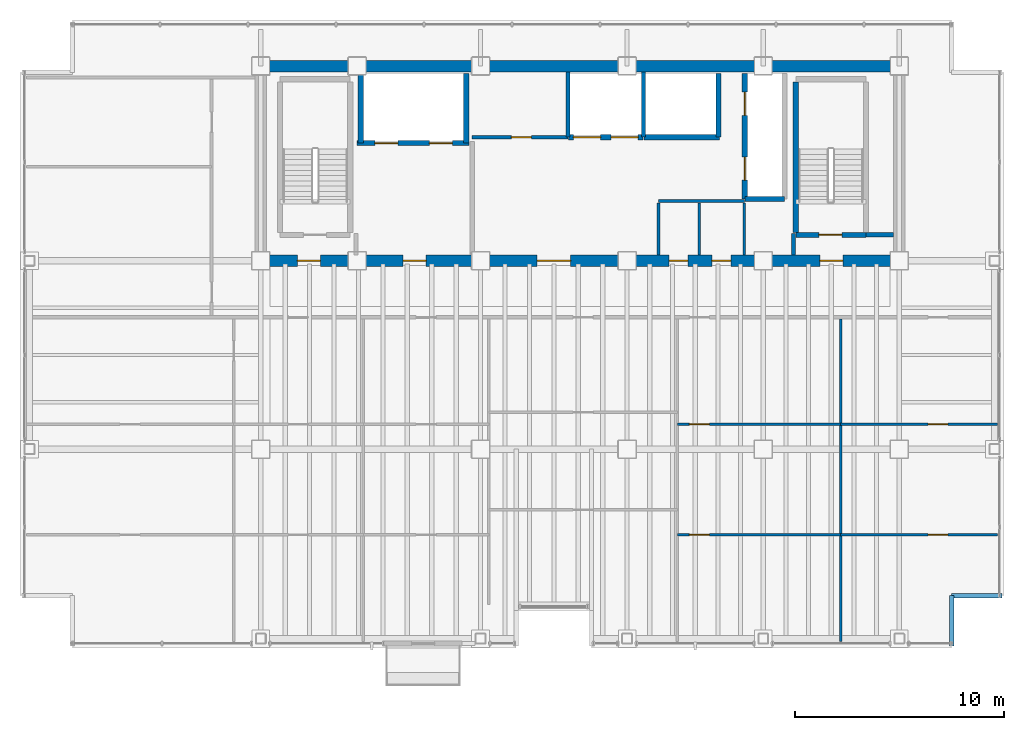
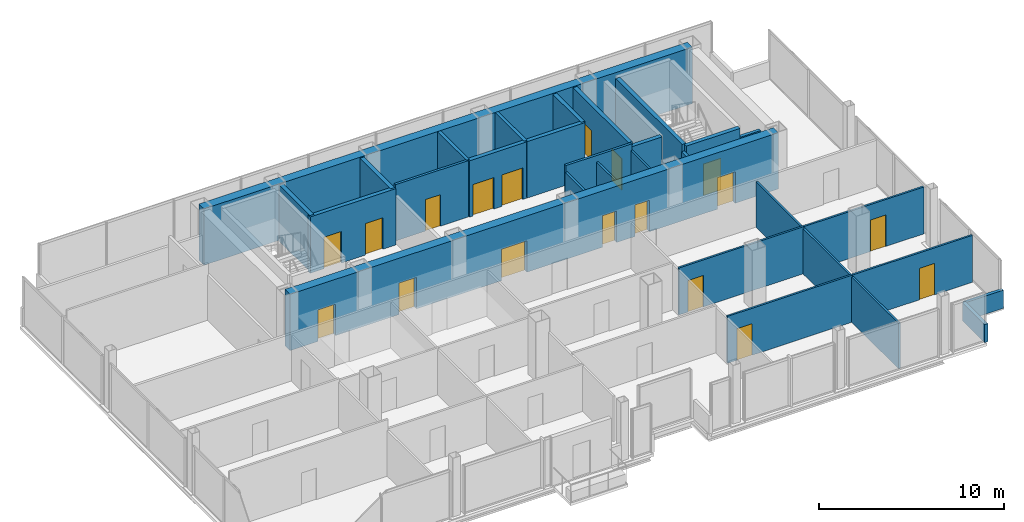
# One storey, part 20 of 22: 28 walls, 18 doors, 18 openings.
"""IFC4 building model written with IfcOpenShell, lengths in metres."""

import ifcopenshell
import ifcopenshell.guid

model = None  # the IFC model being written
_history = None  # IfcOwnerHistory: only IFC2X3 demands one
_inside = {}  # id of a spatial element -> (the spatial element, [elements in it])
_under = {}  # id of a project, library or spatial element -> (it, [spatial elements below it])
_declared = {}  # id of a project -> (the project, [libraries it declares])
_typed = {}  # id of a type object -> (the type object, [elements of that type])
_made_of = {}  # id of a material, layer set ... -> (it, [elements and type objects made of it])


def new_model(schema):
    """Start an empty IFC model of exactly this schema.

    Asked for "IFC4X3", IfcOpenShell would pick the latest addendum, in which some entities
    have other attributes; the version numbers below select the first issue.
    IFC2X3 requires an IfcOwnerHistory on every rooted entity: one is made here for all.
    """
    global model, _history
    if schema == "IFC4X3":
        model = ifcopenshell.file(schema_version=(4, 3, 0, 0))
    else:
        model = ifcopenshell.file(schema=schema)
    _inside.clear()
    _under.clear()
    _declared.clear()
    _typed.clear()
    _made_of.clear()
    _history = None
    if model.schema == "IFC2X3":
        org = make("IfcOrganization", Name="unknown")
        user = make(
            "IfcPersonAndOrganization",
            ThePerson=make("IfcPerson", FamilyName="unknown"),
            TheOrganization=org,
        )
        app = make(
            "IfcApplication",
            ApplicationDeveloper=org,
            Version="unknown",
            ApplicationFullName="unknown",
            ApplicationIdentifier="unknown",
        )
        _history = make(
            "IfcOwnerHistory",
            OwningUser=user,
            OwningApplication=app,
            ChangeAction="ADDED",
            CreationDate=0,
        )
    return model


def make(cls, **values):
    """One entity of the class cls with the attributes given. An attribute that is None is left unset."""
    return model.create_entity(
        cls, **{name: value for name, value in values.items() if value is not None}
    )


def rooted(cls, **values):
    """An entity with a GlobalId (a new one), such as an element, a storey or a relation."""
    return make(cls, GlobalId=ifcopenshell.guid.new(), OwnerHistory=_history, **values)


def si_unit(unit_type, name, prefix=None):
    """IfcSIUnit, for example si_unit("LENGTHUNIT", "METRE", prefix="MILLI")."""
    return make("IfcSIUnit", UnitType=unit_type, Prefix=prefix, Name=name)


def assignment(units):
    """IfcUnitAssignment: the units of a project."""
    return None if units is None else make("IfcUnitAssignment", Units=units)


def point(xyz):
    """IfcCartesianPoint."""
    return None if xyz is None else make("IfcCartesianPoint", Coordinates=xyz)


def direction(xyz):
    """IfcDirection."""
    return None if xyz is None else make("IfcDirection", DirectionRatios=xyz)


def frame(location, z_axis=None, x_axis=None):
    """IfcAxis2Placement3D, a coordinate frame: its origin and axes. An axis left out is left unset."""
    return make(
        "IfcAxis2Placement3D",
        Location=point(location),
        Axis=direction(z_axis),
        RefDirection=direction(x_axis),
    )


def frame_2d(location, x_axis=None):
    """IfcAxis2Placement2D, a coordinate frame in the plane: its origin and x axis."""
    return make(
        "IfcAxis2Placement2D", Location=point(location), RefDirection=direction(x_axis)
    )


def origin():
    """The frame at (0, 0, 0) with its axes left unset."""
    return frame((0.0, 0.0, 0.0))


def place(relative_to, where):
    """IfcLocalPlacement: puts the frame where relative to a parent placement (None: the world)."""
    return make(
        "IfcLocalPlacement", PlacementRelTo=relative_to, RelativePlacement=where
    )


def context(
    kind, dimensions, precision=None, world=None, true_north=None, identifier=None
):
    """IfcGeometricRepresentationContext, for example the 3D "Model" context."""
    return make(
        "IfcGeometricRepresentationContext",
        ContextIdentifier=identifier,
        ContextType=kind,
        CoordinateSpaceDimension=dimensions,
        Precision=precision,
        WorldCoordinateSystem=world,
        TrueNorth=true_north,
    )


def subcontext(parent, identifier, kind, view, scale=None):
    """IfcGeometricRepresentationSubContext, for example "Body" below "Model"."""
    return make(
        "IfcGeometricRepresentationSubContext",
        ContextIdentifier=identifier,
        ContextType=kind,
        ParentContext=parent,
        TargetScale=scale,
        TargetView=view,
    )


def project(units=None, contexts=None):
    """IfcProject with its units and contexts."""
    return rooted(
        "IfcProject",
        Name="project",
        RepresentationContexts=contexts,
        UnitsInContext=assignment(units),
    )


def spatial(cls, under=None, at=None, **own):
    """A site, building, storey or space (cls), placed at a placement, below another one or the project."""
    s = rooted(cls, ObjectPlacement=at, **own)
    if under is not None:
        _under.setdefault(under.id(), (under, []))[1].append(s)
    return s


def profile(cls, at=None, kind="AREA", **sizes):
    """A parametric profile (cls). Its sizes go by their IFC names, for example OverallWidth=200.0."""
    return make(cls, ProfileType=kind, Position=at, **sizes)


def rectangle(**sizes):
    """IfcRectangleProfileDef."""
    return profile("IfcRectangleProfileDef", **sizes)


def extrude(swept, where, along, depth):
    """IfcExtrudedAreaSolid: the profile swept, set in the frame where, extruded along a direction by depth."""
    return make(
        "IfcExtrudedAreaSolid",
        SweptArea=swept,
        Position=where,
        ExtrudedDirection=direction(along),
        Depth=depth,
    )


def shape(context_of_items, identifier, shape_type, items):
    """IfcShapeRepresentation: the items that make up one representation, for example the "Body"."""
    return make(
        "IfcShapeRepresentation",
        ContextOfItems=context_of_items,
        RepresentationIdentifier=identifier,
        RepresentationType=shape_type,
        Items=items,
    )


def material(Name=None, Category=None):
    """IfcMaterial."""
    return make("IfcMaterial", Name=Name, Category=Category)


def layer(
    of_material, thickness, ventilated=None, Name=None, Category=None, Priority=None
):
    """IfcMaterialLayer: one layer of a wall or slab, of a material (None: an air gap)."""
    return make(
        "IfcMaterialLayer",
        Material=of_material,
        LayerThickness=thickness,
        IsVentilated=ventilated,
        Name=Name,
        Category=Category,
        Priority=Priority,
    )


def layer_set(layers, Name=None):
    """IfcMaterialLayerSet."""
    return make("IfcMaterialLayerSet", MaterialLayers=layers, LayerSetName=Name)


def made_of(thing, what):
    """Note that an element or type object is made of a material, layer set ...; save() writes the relation."""
    if what is not None:
        _made_of.setdefault(what.id(), (what, []))[1].append(thing)
    return thing


def type_object(cls, material=None, **own):
    """A type object (cls), such as IfcWallType, which elements share."""
    return made_of(rooted(cls, **own), material)


def element(
    cls,
    number,
    at=None,
    inside=None,
    cuts=None,
    type_object=None,
    material=None,
    context=None,
    identifier="Body",
    shape_type=None,
    held_by="IfcProductDefinitionShape",
    body=None,
    shapes=None,
    **own,
):
    """One element of the class cls, such as IfcWall. Its Tag is "e" and its number.

    at: its placement. inside: the storey or other place that contains it. cuts: it is an
    opening in that element (IfcRelVoidsElement). A single representation is given by context,
    identifier, shape_type and body (its items); several are given by shapes. held_by: the class
    of the entity that holds the representations. save() writes the other relations.
    """
    e = rooted(cls, Tag="e%d" % number, ObjectPlacement=at, **own)
    if body is not None:
        shapes = [shape(context, identifier, shape_type, body)]
    if shapes is not None:
        e.Representation = make(held_by, Representations=shapes)
    if inside is not None:
        _inside.setdefault(inside.id(), (inside, []))[1].append(e)
    if cuts is not None:
        rooted(
            "IfcRelVoidsElement", RelatingBuildingElement=cuts, RelatedOpeningElement=e
        )
    if type_object is not None:
        _typed.setdefault(type_object.id(), (type_object, []))[1].append(e)
    return made_of(e, material)


def fill(opening, filler):
    """IfcRelFillsElement: the door or window that sits in an opening."""
    return rooted(
        "IfcRelFillsElement",
        RelatingOpeningElement=opening,
        RelatedBuildingElement=filler,
    )


def aggregate(whole, parts):
    """IfcRelAggregates: a whole, such as a stair, and the parts it consists of."""
    return rooted("IfcRelAggregates", RelatingObject=whole, RelatedObjects=parts)


def save(model, path):
    """Write the relations noted so far, then the file.

    IfcRelAggregates (storeys below a building ...), IfcRelContainedInSpatialStructure (elements
    in a storey), IfcRelDefinesByType, IfcRelAssociatesMaterial and IfcRelDeclares: one each for
    every whole, place, type object, material and project.
    """
    for whole, parts in _under.values():
        aggregate(whole, parts)
    for where, things in _inside.values():
        rooted(
            "IfcRelContainedInSpatialStructure",
            RelatedElements=things,
            RelatingStructure=where,
        )
    for kind, things in _typed.values():
        rooted("IfcRelDefinesByType", RelatedObjects=things, RelatingType=kind)
    for what, things in _made_of.values():
        rooted("IfcRelAssociatesMaterial", RelatedObjects=things, RelatingMaterial=what)
    for by, libraries in _declared.values():
        rooted("IfcRelDeclares", RelatingContext=by, RelatedDefinitions=libraries)
    model.write(path)


model = new_model("IFC4")

# Units and contexts
model_context = context("Model", 3, precision=1e-05, world=origin(), true_north=direction((0.0, 1.0)))
body_context = subcontext(model_context, "Body", "Model", "MODEL_VIEW")
ifc_project = project(units=[si_unit("LENGTHUNIT", "METRE"), si_unit("AREAUNIT", "SQUARE_METRE"), si_unit("VOLUMEUNIT", "CUBIC_METRE"), si_unit("PLANEANGLEUNIT", "RADIAN"), si_unit("MASSUNIT", "GRAM", prefix="KILO")], contexts=[model_context])

# Site, building, storey
site_placement = place(None, origin())
site = spatial("IfcSite", under=ifc_project, at=site_placement, CompositionType="ELEMENT")
building_placement = place(site_placement, origin())
building = spatial("IfcBuilding", under=site, at=building_placement, Name="Noeulbin Bourse Tower", CompositionType="ELEMENT")
storey_placement = place(building_placement, frame((0.0, 0.0, 134.39990234375)))
storey = spatial("IfcBuildingStorey", under=building, at=storey_placement, Name="L33", CompositionType="ELEMENT", Elevation=134.39990234375)

# Wall, openings, doors
ifc_material_1 = material(Name="Concrete C60/75", Category="concrete")
ifc_layer_1 = layer(ifc_material_1, 0.550048828125)
ifc_layer_set_1 = layer_set([ifc_layer_1], Name="Concrete C60/75")
wall_type_1 = type_object("IfcWallType", Name="WAL-CORE-550", PredefinedType="SHEAR", material=ifc_layer_set_1)
wall_1_placement = place(storey_placement, frame((13.5, 29.0, 0.0), z_axis=(0.0, 0.0, 1.0), x_axis=(1.0, 0.0, 0.0)))
wall_1 = element("IfcWall", 1, at=wall_1_placement, inside=storey, type_object=wall_type_1, Name="Rear Core South Shear Wall L33", PredefinedType="SHEAR", context=body_context, shape_type="SweptSolid", body=[
    extrude(rectangle(XDim=30.5, YDim=0.550048828125, at=frame_2d((15.25, 0.0))), origin(), (0.0, 0.0, 1.0), 3.72021484375),
])
opening_1_placement = place(wall_1_placement, frame((1.75, 0.0, 0.0)))
opening_1 = element("IfcOpeningElement", 2, at=opening_1_placement, cuts=wall_1, Name="Opening FD-11", PredefinedType="OPENING", context=body_context, shape_type="SweptSolid", body=[
    extrude(rectangle(XDim=1.10009765625, YDim=2.080078125, at=frame_2d((0.550048828125, 1.0400390625))), frame((0.0, 0.284912109375, 0.0), z_axis=(0.0, -1.0, 0.0), x_axis=(1.0, 0.0, 0.0)), (0.0, 0.0, 1.0), 0.570068359375),
])
opening_2_placement = place(wall_1_placement, frame((26.699951171875, 0.0, 0.0)))
opening_2 = element("IfcOpeningElement", 3, at=opening_2_placement, cuts=wall_1, Name="Opening FD-11", PredefinedType="OPENING", context=body_context, shape_type="SweptSolid", body=[
    extrude(rectangle(XDim=1.10009765625, YDim=2.080078125, at=frame_2d((0.550048828125, 1.0400390625))), frame((0.0, 0.284912109375, 0.0), z_axis=(0.0, -1.0, 0.0), x_axis=(1.0, 0.0, 0.0)), (0.0, 0.0, 1.0), 0.570068359375),
])
opening_3_placement = place(wall_1_placement, frame((6.800048828125, 0.0, 0.0)))
opening_3 = element("IfcOpeningElement", 4, at=opening_3_placement, cuts=wall_1, Name="Opening FD-11", PredefinedType="OPENING", context=body_context, shape_type="SweptSolid", body=[
    extrude(rectangle(XDim=1.10009765625, YDim=2.080078125, at=frame_2d((0.550048828125, 1.0400390625))), frame((0.0, 0.284912109375, 0.0), z_axis=(0.0, -1.0, 0.0), x_axis=(1.0, 0.0, 0.0)), (0.0, 0.0, 1.0), 0.570068359375),
])
opening_4_placement = place(wall_1_placement, frame((13.199951171875, 0.0, 0.0)))
opening_4 = element("IfcOpeningElement", 5, at=opening_4_placement, cuts=wall_1, Name="Opening ID-16", PredefinedType="OPENING", context=body_context, shape_type="SweptSolid", body=[
    extrude(rectangle(XDim=1.60009765625, YDim=2.080078125, at=frame_2d((0.800048828125, 1.0400390625))), frame((0.0, 0.284912109375, 0.0), z_axis=(0.0, -1.0, 0.0), x_axis=(1.0, 0.0, 0.0)), (0.0, 0.0, 1.0), 0.570068359375),
])
opening_5_placement = place(wall_1_placement, frame((19.5, 0.0, 0.0)))
opening_5 = element("IfcOpeningElement", 6, at=opening_5_placement, cuts=wall_1, Name="Opening FD-09", PredefinedType="OPENING", context=body_context, shape_type="SweptSolid", body=[
    extrude(rectangle(XDim=0.89990234375, YDim=2.080078125, at=frame_2d((0.449951171875, 1.0400390625))), frame((0.0, 0.284912109375, 0.0), z_axis=(0.0, -1.0, 0.0), x_axis=(1.0, 0.0, 0.0)), (0.0, 0.0, 1.0), 0.570068359375),
])
opening_6_placement = place(wall_1_placement, frame((21.550048828125, 0.0, 0.0)))
opening_6 = element("IfcOpeningElement", 7, at=opening_6_placement, cuts=wall_1, Name="Opening FD-09", PredefinedType="OPENING", context=body_context, shape_type="SweptSolid", body=[
    extrude(rectangle(XDim=0.89990234375, YDim=2.080078125, at=frame_2d((0.449951171875, 1.0400390625))), frame((0.0, 0.284912109375, 0.0), z_axis=(0.0, -1.0, 0.0), x_axis=(1.0, 0.0, 0.0)), (0.0, 0.0, 1.0), 0.570068359375),
])
ifc_material_2 = material(Name="Acoustic Glazed Aluminium", Category="aluminium")
door_type_1 = type_object("IfcDoorType", Name="DR-DBL-1600", OperationType="DOUBLE_DOOR_SINGLE_SWING", PredefinedType="DOOR", material=ifc_material_2)
door_1_placement = place(opening_4_placement, origin())
door_1 = element("IfcDoor", 8, at=door_1_placement, inside=storey, type_object=door_type_1, Name="Passenger Lift Lobby Portal L33", OperationType="DOUBLE_DOOR_SINGLE_SWING", OverallHeight=2.080078125, OverallWidth=1.60009765625, PredefinedType="DOOR", context=body_context, shape_type="SweptSolid", body=[
    extrude(rectangle(XDim=1.60009765625, YDim=2.080078125, at=frame_2d((0.800048828125, 1.0400390625))), frame((0.0, 0.02490234375, 0.0), z_axis=(0.0, -1.0, 0.0), x_axis=(1.0, 0.0, 0.0)), (0.0, 0.0, 1.0), 0.050048828125),
])
fill(opening_4, door_1)
ifc_material_3 = material(Name="Fire-Rated Timber Core", Category="wood")
door_type_2 = type_object("IfcDoorType", Name="DR-FD30-900", OperationType="SINGLE_SWING_RIGHT", PredefinedType="DOOR", material=ifc_material_3)
door_2_placement = place(opening_5_placement, origin())
door_2 = element("IfcDoor", 9, at=door_2_placement, inside=storey, type_object=door_type_2, Name="Interior Door L33-06", OperationType="SINGLE_SWING_RIGHT", OverallHeight=2.080078125, OverallWidth=0.89990234375, PredefinedType="DOOR", context=body_context, shape_type="SweptSolid", body=[
    extrude(rectangle(XDim=0.89990234375, YDim=2.080078125, at=frame_2d((0.449951171875, 1.0400390625))), frame((0.0, 0.02490234375, 0.0), z_axis=(0.0, -1.0, 0.0), x_axis=(1.0, 0.0, 0.0)), (0.0, 0.0, 1.0), 0.050048828125),
])
fill(opening_5, door_2)
door_3_placement = place(opening_6_placement, origin())
door_3 = element("IfcDoor", 10, at=door_3_placement, inside=storey, type_object=door_type_2, Name="Interior Door L33-07", OperationType="SINGLE_SWING_LEFT", OverallHeight=2.080078125, OverallWidth=0.89990234375, PredefinedType="DOOR", context=body_context, shape_type="SweptSolid", body=[
    extrude(rectangle(XDim=0.89990234375, YDim=2.080078125, at=frame_2d((0.449951171875, 1.0400390625))), frame((0.0, 0.02490234375, 0.0), z_axis=(0.0, -1.0, 0.0), x_axis=(1.0, 0.0, 0.0)), (0.0, 0.0, 1.0), 0.050048828125),
])
fill(opening_6, door_3)
ifc_material_4 = material(Name="Fire-Rated Insulated Steel", Category="steel")
door_type_3 = type_object("IfcDoorType", Name="DR-FD60-1100", OperationType="SINGLE_SWING_LEFT", PredefinedType="DOOR", material=ifc_material_4)
door_4_placement = place(opening_1_placement, origin())
door_4 = element("IfcDoor", 11, at=door_4_placement, inside=storey, type_object=door_type_3, Name="West Stair Lobby Door L33", OperationType="SINGLE_SWING_LEFT", OverallHeight=2.080078125, OverallWidth=1.10009765625, PredefinedType="DOOR", context=body_context, shape_type="SweptSolid", body=[
    extrude(rectangle(XDim=1.10009765625, YDim=2.080078125, at=frame_2d((0.550048828125, 1.0400390625))), frame((0.0, 0.02490234375, 0.0), z_axis=(0.0, -1.0, 0.0), x_axis=(1.0, 0.0, 0.0)), (0.0, 0.0, 1.0), 0.050048828125),
])
fill(opening_1, door_4)
door_5_placement = place(opening_2_placement, origin())
door_5 = element("IfcDoor", 12, at=door_5_placement, inside=storey, type_object=door_type_3, Name="East Stair Lobby Door L33", OperationType="SINGLE_SWING_RIGHT", OverallHeight=2.080078125, OverallWidth=1.10009765625, PredefinedType="DOOR", context=body_context, shape_type="SweptSolid", body=[
    extrude(rectangle(XDim=1.10009765625, YDim=2.080078125, at=frame_2d((0.550048828125, 1.0400390625))), frame((0.0, 0.02490234375, 0.0), z_axis=(0.0, -1.0, 0.0), x_axis=(1.0, 0.0, 0.0)), (0.0, 0.0, 1.0), 0.050048828125),
])
fill(opening_2, door_5)
door_6_placement = place(opening_3_placement, origin())
door_6 = element("IfcDoor", 13, at=door_6_placement, inside=storey, type_object=door_type_3, Name="Firefighting Lobby Door L33", OperationType="SINGLE_SWING_LEFT", OverallHeight=2.080078125, OverallWidth=1.10009765625, PredefinedType="DOOR", context=body_context, shape_type="SweptSolid", body=[
    extrude(rectangle(XDim=1.10009765625, YDim=2.080078125, at=frame_2d((0.550048828125, 1.0400390625))), frame((0.0, 0.02490234375, 0.0), z_axis=(0.0, -1.0, 0.0), x_axis=(1.0, 0.0, 0.0)), (0.0, 0.0, 1.0), 0.050048828125),
])
fill(opening_3, door_6)

# Walls
wall_2_placement = place(storey_placement, frame((13.5, 38.300048828125, 0.0), z_axis=(0.0, 0.0, 1.0), x_axis=(1.0, 0.0, 0.0)))
element("IfcWall", 14, at=wall_2_placement, inside=storey, type_object=wall_type_1, Name="Rear Core North Shear Wall L33", PredefinedType="SHEAR", context=body_context, shape_type="SweptSolid", body=[
    extrude(rectangle(XDim=30.5, YDim=0.550048828125, at=frame_2d((15.25, 0.0))), origin(), (0.0, 0.0, 1.0), 3.72021484375),
])
ifc_material_5 = material(Name="Concrete C40/50", Category="concrete")
ifc_layer_2 = layer(ifc_material_5, 0.199951171875)
ifc_layer_set_2 = layer_set([ifc_layer_2], Name="Concrete C40/50")
wall_type_2 = type_object("IfcWallType", Name="WAL-FIRE-200", PredefinedType="STANDARD", material=ifc_layer_set_2)
wall_3_placement = place(storey_placement, frame((42.39990234375, 30.239990234375, 0.0), z_axis=(0.0, 0.0, 1.0), x_axis=(1.0, 0.0, 0.0)))
element("IfcWall", 15, at=wall_3_placement, inside=storey, type_object=wall_type_2, Name="Interior Partition Wall L33-01", PredefinedType="STANDARD", context=body_context, shape_type="SweptSolid", body=[
    extrude(rectangle(XDim=1.315185546875, YDim=0.199951171875, at=frame_2d((0.65771484375, 0.0))), origin(), (0.0, 0.0, 1.0), 3.10009765625),
])
wall_4_placement = place(storey_placement, frame((38.949951171875, 29.284912109375, 0.0), z_axis=(0.0, 0.0, 1.0), x_axis=(0.0, 1.0, 0.0)))
element("IfcWall", 16, at=wall_4_placement, inside=storey, type_object=wall_type_2, Name="Interior Partition Wall L33-20", PredefinedType="STANDARD", context=body_context, shape_type="SweptSolid", body=[
    extrude(rectangle(XDim=1.01513671875, YDim=0.199951171875, at=frame_2d((0.507568359375, 0.0))), origin(), (0.0, 0.0, 1.0), 3.300048828125),
])
ifc_layer_3 = layer(ifc_material_5, 0.199951171875)
ifc_layer_set_3 = layer_set([ifc_layer_3], Name="Concrete C40/50")
wall_type_3 = type_object("IfcWallType", Name="WAL-PAR-200", PredefinedType="PARAPET", material=ifc_layer_set_3)
for number, where, z_axis, x_axis, name in (
    (17, (46.5, 10.60009765625, 0.0), (0.0, 0.0, 1.0), (0.0, 1.0, 0.0), "Corner Notch Parapet L33-SE1"),
    (18, (46.5, 13.0, 0.0), (0.0, 0.0, 1.0), (1.0, 0.0, 0.0), "Corner Notch Parapet L33-SE2"),
):
    element("IfcWall", number, at=place(storey_placement, frame(where, z_axis=z_axis, x_axis=x_axis)), inside=storey, type_object=wall_type_3, Name=name, PredefinedType="PARAPET", context=body_context, shape_type="SweptSolid", body=[
        extrude(rectangle(XDim=2.39990234375, YDim=0.199951171875, at=frame_2d((1.199951171875, 0.0))), origin(), (0.0, 0.0, 1.0), 1.2001953125),
    ])

# Wall, opening, door
ifc_material_6 = material(Name="Steel Stud Gypsum Partition", Category="steel")
ifc_layer_4 = layer(ifc_material_6, 0.1201171875)
ifc_layer_set_4 = layer_set([ifc_layer_4], Name="Steel Stud Gypsum Partition")
wall_type_4 = type_object("IfcWallType", Name="WAL-PRT-120", PredefinedType="PARTITIONING", material=ifc_layer_set_4)
wall_5_placement = place(storey_placement, frame((33.39990234375, 21.18798828125, 0.0), z_axis=(0.0, 0.0, 1.0), x_axis=(1.0, 0.0, 0.0)))
wall_5 = element("IfcWall", 19, at=wall_5_placement, inside=storey, type_object=wall_type_4, Name="Interior Partition Wall L33-14", PredefinedType="PARTITIONING", context=body_context, shape_type="SweptSolid", body=[
    extrude(rectangle(XDim=7.800048828125, YDim=0.1201171875, at=frame_2d((3.89990234375, 0.0))), origin(), (0.0, 0.0, 1.0), 3.10009765625),
])
opening_7_placement = place(wall_5_placement, frame((0.574951171875, 0.0, 0.0)))
opening_7 = element("IfcOpeningElement", 20, at=opening_7_placement, cuts=wall_5, Name="Opening ID-09", PredefinedType="OPENING", context=body_context, shape_type="SweptSolid", body=[
    extrude(rectangle(XDim=0.949951171875, YDim=2.080078125, at=frame_2d((0.47509765625, 1.0400390625))), frame((0.0, 0.070068359375, 0.0), z_axis=(0.0, -1.0, 0.0), x_axis=(1.0, 0.0, 0.0)), (0.0, 0.0, 1.0), 0.14013671875),
])
ifc_material_7 = material(Name="Acoustic Solid-Core Timber", Category="wood")
door_type_4 = type_object("IfcDoorType", Name="DR-SINGLE-950", OperationType="SINGLE_SWING_LEFT", PredefinedType="DOOR", material=ifc_material_7)
door_7_placement = place(opening_7_placement, origin())
door_7 = element("IfcDoor", 21, at=door_7_placement, inside=storey, type_object=door_type_4, Name="Interior Door L33-20", OperationType="SINGLE_SWING_RIGHT", OverallHeight=2.080078125, OverallWidth=0.949951171875, PredefinedType="DOOR", context=body_context, shape_type="SweptSolid", body=[
    extrude(rectangle(XDim=0.949951171875, YDim=2.080078125, at=frame_2d((0.47509765625, 1.0400390625))), frame((0.0, 0.02490234375, 0.0), z_axis=(0.0, -1.0, 0.0), x_axis=(1.0, 0.0, 0.0)), (0.0, 0.0, 1.0), 0.050048828125),
])
fill(opening_7, door_7)

wall_6_placement = place(storey_placement, frame((33.39990234375, 15.922119140625, 0.0), z_axis=(0.0, 0.0, 1.0), x_axis=(1.0, 0.0, 0.0)))
wall_6 = element("IfcWall", 22, at=wall_6_placement, inside=storey, type_object=wall_type_4, Name="Interior Partition Wall L33-15", PredefinedType="PARTITIONING", context=body_context, shape_type="SweptSolid", body=[
    extrude(rectangle(XDim=7.800048828125, YDim=0.1201171875, at=frame_2d((3.89990234375, 0.0))), origin(), (0.0, 0.0, 1.0), 3.10009765625),
])
opening_8_placement = place(wall_6_placement, frame((0.574951171875, 0.0, 0.0)))
opening_8 = element("IfcOpeningElement", 23, at=opening_8_placement, cuts=wall_6, Name="Opening ID-09", PredefinedType="OPENING", context=body_context, shape_type="SweptSolid", body=[
    extrude(rectangle(XDim=0.949951171875, YDim=2.080078125, at=frame_2d((0.47509765625, 1.0400390625))), frame((0.0, 0.070068359375, 0.0), z_axis=(0.0, -1.0, 0.0), x_axis=(1.0, 0.0, 0.0)), (0.0, 0.0, 1.0), 0.14013671875),
])
door_8_placement = place(opening_8_placement, origin())
door_8 = element("IfcDoor", 24, at=door_8_placement, inside=storey, type_object=door_type_4, Name="Interior Door L33-21", OperationType="SINGLE_SWING_LEFT", OverallHeight=2.080078125, OverallWidth=0.949951171875, PredefinedType="DOOR", context=body_context, shape_type="SweptSolid", body=[
    extrude(rectangle(XDim=0.949951171875, YDim=2.080078125, at=frame_2d((0.47509765625, 1.0400390625))), frame((0.0, 0.02490234375, 0.0), z_axis=(0.0, -1.0, 0.0), x_axis=(1.0, 0.0, 0.0)), (0.0, 0.0, 1.0), 0.050048828125),
])
fill(opening_8, door_8)

wall_7_placement = place(storey_placement, frame((41.199951171875, 21.18798828125, 0.0), z_axis=(0.0, 0.0, 1.0), x_axis=(1.0, 0.0, 0.0)))
wall_7 = element("IfcWall", 25, at=wall_7_placement, inside=storey, type_object=wall_type_4, Name="Interior Partition Wall L33-16", PredefinedType="PARTITIONING", context=body_context, shape_type="SweptSolid", body=[
    extrude(rectangle(XDim=7.489990234375, YDim=0.1201171875, at=frame_2d((3.7451171875, 0.0))), origin(), (0.0, 0.0, 1.0), 3.10009765625),
])
opening_9_placement = place(wall_7_placement, frame((4.169921875, 0.0, 0.0)))
opening_9 = element("IfcOpeningElement", 26, at=opening_9_placement, cuts=wall_7, Name="Opening ID-09", PredefinedType="OPENING", context=body_context, shape_type="SweptSolid", body=[
    extrude(rectangle(XDim=0.949951171875, YDim=2.080078125, at=frame_2d((0.47509765625, 1.0400390625))), frame((0.0, 0.070068359375, 0.0), z_axis=(0.0, -1.0, 0.0), x_axis=(1.0, 0.0, 0.0)), (0.0, 0.0, 1.0), 0.14013671875),
])
door_9_placement = place(opening_9_placement, origin())
door_9 = element("IfcDoor", 27, at=door_9_placement, inside=storey, type_object=door_type_4, Name="Interior Door L33-23", OperationType="SINGLE_SWING_LEFT", OverallHeight=2.080078125, OverallWidth=0.949951171875, PredefinedType="DOOR", context=body_context, shape_type="SweptSolid", body=[
    extrude(rectangle(XDim=0.949951171875, YDim=2.080078125, at=frame_2d((0.47509765625, 1.0400390625))), frame((0.0, 0.02490234375, 0.0), z_axis=(0.0, -1.0, 0.0), x_axis=(1.0, 0.0, 0.0)), (0.0, 0.0, 1.0), 0.050048828125),
])
fill(opening_9, door_9)

wall_8_placement = place(storey_placement, frame((41.199951171875, 15.922119140625, 0.0), z_axis=(0.0, 0.0, 1.0), x_axis=(1.0, 0.0, 0.0)))
wall_8 = element("IfcWall", 28, at=wall_8_placement, inside=storey, type_object=wall_type_4, Name="Interior Partition Wall L33-17", PredefinedType="PARTITIONING", context=body_context, shape_type="SweptSolid", body=[
    extrude(rectangle(XDim=7.489990234375, YDim=0.1201171875, at=frame_2d((3.7451171875, 0.0))), origin(), (0.0, 0.0, 1.0), 3.10009765625),
])
opening_10_placement = place(wall_8_placement, frame((4.169921875, 0.0, 0.0)))
opening_10 = element("IfcOpeningElement", 29, at=opening_10_placement, cuts=wall_8, Name="Opening ID-09", PredefinedType="OPENING", context=body_context, shape_type="SweptSolid", body=[
    extrude(rectangle(XDim=0.949951171875, YDim=2.080078125, at=frame_2d((0.47509765625, 1.0400390625))), frame((0.0, 0.070068359375, 0.0), z_axis=(0.0, -1.0, 0.0), x_axis=(1.0, 0.0, 0.0)), (0.0, 0.0, 1.0), 0.14013671875),
])
door_10_placement = place(opening_10_placement, origin())
door_10 = element("IfcDoor", 30, at=door_10_placement, inside=storey, type_object=door_type_4, Name="Interior Door L33-24", OperationType="SINGLE_SWING_RIGHT", OverallHeight=2.080078125, OverallWidth=0.949951171875, PredefinedType="DOOR", context=body_context, shape_type="SweptSolid", body=[
    extrude(rectangle(XDim=0.949951171875, YDim=2.080078125, at=frame_2d((0.47509765625, 1.0400390625))), frame((0.0, 0.02490234375, 0.0), z_axis=(0.0, -1.0, 0.0), x_axis=(1.0, 0.0, 0.0)), (0.0, 0.0, 1.0), 0.050048828125),
])
fill(opening_10, door_10)

# Walls
for number, where, z_axis, x_axis, name in (
    (31, (36.60009765625, 29.284912109375, 0.0), (0.0, 0.0, 1.0), (0.0, 1.0, 0.0), "Interior Partition Wall L33-23"),
    (32, (34.449951171875, 29.284912109375, 0.0), (0.0, 0.0, 1.0), (0.0, 1.0, 0.0), "Interior Partition Wall L33-24"),
):
    element("IfcWall", number, at=place(storey_placement, frame(where, z_axis=z_axis, x_axis=x_axis)), inside=storey, type_object=wall_type_4, Name=name, PredefinedType="PARTITIONING", context=body_context, shape_type="SweptSolid", body=[
        extrude(rectangle(XDim=2.47998046875, YDim=0.1201171875, at=frame_2d((1.239990234375, 0.0))), origin(), (0.0, 0.0, 1.0), 3.300048828125),
    ])
wall_9_placement = place(storey_placement, frame((41.199951171875, 10.81005859375, 0.0), z_axis=(0.0, 0.0, 1.0), x_axis=(0.0, 1.0, 0.0)))
element("IfcWall", 33, at=wall_9_placement, inside=storey, type_object=wall_type_4, Name="Interior Partition Wall L33-30", PredefinedType="PARTITIONING", context=body_context, shape_type="SweptSolid", body=[
    extrude(rectangle(XDim=15.405029296875, YDim=0.1201171875, at=frame_2d((7.70263671875, 0.0))), origin(), (0.0, 0.0, 1.0), 3.0),
])

# Wall, opening, door
ifc_material_8 = material(Name="Steel Stud Acoustic Gypsum Board", Category="steel")
ifc_layer_5 = layer(ifc_material_8, 0.14990234375)
ifc_layer_set_5 = layer_set([ifc_layer_5], Name="Steel Stud Acoustic Gypsum Board")
wall_type_5 = type_object("IfcWallType", Name="WAL-PRT-150", PredefinedType="PARTITIONING", material=ifc_layer_set_5)
wall_10_placement = place(storey_placement, frame((23.60009765625, 34.89990234375, 0.0), z_axis=(0.0, 0.0, 1.0), x_axis=(1.0, 0.0, 0.0)))
wall_10 = element("IfcWall", 34, at=wall_10_placement, inside=storey, type_object=wall_type_5, Name="Interior Partition Wall L33-02", PredefinedType="PARTITIONING", context=body_context, shape_type="SweptSolid", body=[
    extrude(rectangle(XDim=4.579833984375, YDim=0.14990234375, at=frame_2d((2.2900390625, 0.0))), origin(), (0.0, 0.0, 1.0), 3.72021484375),
])
opening_11_placement = place(wall_10_placement, frame((1.875, 0.0, 0.0)))
opening_11 = element("IfcOpeningElement", 35, at=opening_11_placement, cuts=wall_10, Name="Opening ID-09", PredefinedType="OPENING", context=body_context, shape_type="SweptSolid", body=[
    extrude(rectangle(XDim=0.949951171875, YDim=2.080078125, at=frame_2d((0.47509765625, 1.0400390625))), frame((0.0, 0.0849609375, 0.0), z_axis=(0.0, -1.0, 0.0), x_axis=(1.0, 0.0, 0.0)), (0.0, 0.0, 1.0), 0.169921875),
])
door_11_placement = place(opening_11_placement, origin())
door_11 = element("IfcDoor", 36, at=door_11_placement, inside=storey, type_object=door_type_4, Name="Archive Room Door L33", OperationType="SINGLE_SWING_LEFT", OverallHeight=2.080078125, OverallWidth=0.949951171875, PredefinedType="DOOR", context=body_context, shape_type="SweptSolid", body=[
    extrude(rectangle(XDim=0.949951171875, YDim=2.080078125, at=frame_2d((0.47509765625, 1.0400390625))), frame((0.0, 0.02490234375, 0.0), z_axis=(0.0, -1.0, 0.0), x_axis=(1.0, 0.0, 0.0)), (0.0, 0.0, 1.0), 0.050048828125),
])
fill(opening_11, door_11)

# Walls
wall_11_placement = place(storey_placement, frame((32.5, 31.85009765625, 0.0), z_axis=(0.0, 0.0, 1.0), x_axis=(1.0, 0.0, 0.0)))
element("IfcWall", 37, at=wall_11_placement, inside=storey, type_object=wall_type_5, Name="Interior Partition Wall L33-03", PredefinedType="PARTITIONING", context=body_context, shape_type="SweptSolid", body=[
    extrude(rectangle(XDim=4.10009765625, YDim=0.14990234375, at=frame_2d((2.050048828125, 0.0))), origin(), (0.0, 0.0, 1.0), 3.72021484375),
])
wall_12_placement = place(storey_placement, frame((32.5, 29.284912109375, 0.0), z_axis=(0.0, 0.0, 1.0), x_axis=(0.0, 1.0, 0.0)))
element("IfcWall", 38, at=wall_12_placement, inside=storey, type_object=wall_type_5, Name="Interior Partition Wall L33-22", PredefinedType="PARTITIONING", context=body_context, shape_type="SweptSolid", body=[
    extrude(rectangle(XDim=2.47998046875, YDim=0.14990234375, at=frame_2d((1.239990234375, 0.0))), origin(), (0.0, 0.0, 1.0), 3.300048828125),
])

# Wall, opening, door
ifc_layer_6 = layer(ifc_material_5, 0.25)
ifc_layer_set_6 = layer_set([ifc_layer_6], Name="Concrete C40/50")
wall_type_6 = type_object("IfcWallType", Name="WAL-SHFT-250", PredefinedType="STANDARD", material=ifc_layer_set_6)
wall_13_placement = place(storey_placement, frame((39.06005859375, 30.235107421875, 0.0), z_axis=(0.0, 0.0, 1.0), x_axis=(1.0, 0.0, 0.0)))
wall_13 = element("IfcWall", 39, at=wall_13_placement, inside=storey, type_object=wall_type_6, Name="Stair ST-2 South Shaft Wall L33", PredefinedType="STANDARD", context=body_context, shape_type="SweptSolid", body=[
    extrude(rectangle(XDim=3.33984375, YDim=0.25, at=frame_2d((1.669921875, 0.0))), origin(), (0.0, 0.0, 1.0), 3.72021484375),
])
opening_12_placement = place(wall_13_placement, frame((1.10009765625, 0.0, 0.0)))
opening_12 = element("IfcOpeningElement", 40, at=opening_12_placement, cuts=wall_13, Name="Opening FD-11", PredefinedType="OPENING", context=body_context, shape_type="SweptSolid", body=[
    extrude(rectangle(XDim=1.10009765625, YDim=2.080078125, at=frame_2d((0.550048828125, 1.0400390625))), frame((0.0, 0.135009765625, 0.0), z_axis=(0.0, -1.0, 0.0), x_axis=(1.0, 0.0, 0.0)), (0.0, 0.0, 1.0), 0.27001953125),
])
door_12_placement = place(opening_12_placement, origin())
door_12 = element("IfcDoor", 41, at=door_12_placement, inside=storey, type_object=door_type_3, Name="Protected Stair Entry Door ST2-L33", OperationType="SINGLE_SWING_RIGHT", OverallHeight=2.080078125, OverallWidth=1.10009765625, PredefinedType="DOOR", context=body_context, shape_type="SweptSolid", body=[
    extrude(rectangle(XDim=1.10009765625, YDim=2.080078125, at=frame_2d((0.550048828125, 1.0400390625))), frame((0.0, 0.02490234375, 0.0), z_axis=(0.0, -1.0, 0.0), x_axis=(1.0, 0.0, 0.0)), (0.0, 0.0, 1.0), 0.050048828125),
])
fill(opening_12, door_12)

# Wall
wall_14_placement = place(storey_placement, frame((39.054931640625, 30.360107421875, 0.0), z_axis=(0.0, 0.0, 1.0), x_axis=(0.0, 1.0, 0.0)))
element("IfcWall", 42, at=wall_14_placement, inside=storey, type_object=wall_type_6, Name="Stair ST-2 West Shaft Wall L33", PredefinedType="STANDARD", context=body_context, shape_type="SweptSolid", body=[
    extrude(rectangle(XDim=7.183837890625, YDim=0.25, at=frame_2d((3.591796875, 0.0))), origin(), (0.0, 0.0, 1.0), 3.72021484375),
])

# Wall, openings, doors
wall_15_placement = place(storey_placement, frame((18.10009765625, 34.6201171875, 0.0), z_axis=(0.0, 0.0, 1.0), x_axis=(1.0, 0.0, 0.0)))
wall_15 = element("IfcWall", 43, at=wall_15_placement, inside=storey, type_object=wall_type_6, Name="Firefighting Lift Shaft Front L33", PredefinedType="STANDARD", context=body_context, shape_type="SweptSolid", body=[
    extrude(rectangle(XDim=5.349853515625, YDim=0.25, at=frame_2d((2.6748046875, 0.0))), origin(), (0.0, 0.0, 1.0), 3.72021484375),
])
opening_13_placement = place(wall_15_placement, frame((0.85009765625, 0.0, 0.0)))
opening_13 = element("IfcOpeningElement", 44, at=opening_13_placement, cuts=wall_15, Name="Opening LD-11", PredefinedType="OPENING", context=body_context, shape_type="SweptSolid", body=[
    extrude(rectangle(XDim=1.10009765625, YDim=2.080078125, at=frame_2d((0.550048828125, 1.0400390625))), frame((0.0, 0.135009765625, 0.0), z_axis=(0.0, -1.0, 0.0), x_axis=(1.0, 0.0, 0.0)), (0.0, 0.0, 1.0), 0.27001953125),
])
opening_14_placement = place(wall_15_placement, frame((3.449951171875, 0.0, 0.0)))
opening_14 = element("IfcOpeningElement", 45, at=opening_14_placement, cuts=wall_15, Name="Opening LD-11", PredefinedType="OPENING", context=body_context, shape_type="SweptSolid", body=[
    extrude(rectangle(XDim=1.10009765625, YDim=2.080078125, at=frame_2d((0.550048828125, 1.0400390625))), frame((0.0, 0.135009765625, 0.0), z_axis=(0.0, -1.0, 0.0), x_axis=(1.0, 0.0, 0.0)), (0.0, 0.0, 1.0), 0.27001953125),
])
ifc_material_9 = material(Name="Brushed Stainless Steel 316", Category="steel")
door_type_5 = type_object("IfcDoorType", Name="DR-LIFT-1100", OperationType="SLIDING_TO_LEFT", PredefinedType="DOOR", material=ifc_material_9)
door_13_placement = place(opening_13_placement, origin())
door_13 = element("IfcDoor", 46, at=door_13_placement, inside=storey, type_object=door_type_5, Name="Lift Landing Door LD-FL-01-L33", OperationType="SLIDING_TO_LEFT", OverallHeight=2.080078125, OverallWidth=1.10009765625, PredefinedType="DOOR", context=body_context, shape_type="SweptSolid", body=[
    extrude(rectangle(XDim=1.10009765625, YDim=2.080078125, at=frame_2d((0.550048828125, 1.0400390625))), frame((0.0, 0.02490234375, 0.0), z_axis=(0.0, -1.0, 0.0), x_axis=(1.0, 0.0, 0.0)), (0.0, 0.0, 1.0), 0.050048828125),
])
fill(opening_13, door_13)
door_14_placement = place(opening_14_placement, origin())
door_14 = element("IfcDoor", 47, at=door_14_placement, inside=storey, type_object=door_type_5, Name="Lift Landing Door LD-FL-02-L33", OperationType="SLIDING_TO_LEFT", OverallHeight=2.080078125, OverallWidth=1.10009765625, PredefinedType="DOOR", context=body_context, shape_type="SweptSolid", body=[
    extrude(rectangle(XDim=1.10009765625, YDim=2.080078125, at=frame_2d((0.550048828125, 1.0400390625))), frame((0.0, 0.02490234375, 0.0), z_axis=(0.0, -1.0, 0.0), x_axis=(1.0, 0.0, 0.0)), (0.0, 0.0, 1.0), 0.050048828125),
])
fill(opening_14, door_14)

wall_16_placement = place(storey_placement, frame((36.6201171875, 31.949951171875, 0.0), z_axis=(0.0, 0.0, 1.0), x_axis=(0.0, 1.0, 0.0)))
wall_16 = element("IfcWall", 48, at=wall_16_placement, inside=storey, type_object=wall_type_6, Name="Service Lift Shaft Wall L33", PredefinedType="STANDARD", context=body_context, shape_type="SweptSolid", body=[
    extrude(rectangle(XDim=6.0, YDim=0.25, at=frame_2d((3.0, 0.0))), origin(), (0.0, 0.0, 1.0), 3.72021484375),
])
opening_15_placement = place(wall_16_placement, frame((0.89990234375, 0.0, 0.0)))
opening_15 = element("IfcOpeningElement", 49, at=opening_15_placement, cuts=wall_16, Name="Opening LD-11", PredefinedType="OPENING", context=body_context, shape_type="SweptSolid", body=[
    extrude(rectangle(XDim=1.10009765625, YDim=2.080078125, at=frame_2d((0.550048828125, 1.0400390625))), frame((0.0, 0.135009765625, 0.0), z_axis=(0.0, -1.0, 0.0), x_axis=(1.0, 0.0, 0.0)), (0.0, 0.0, 1.0), 0.27001953125),
])
opening_16_placement = place(wall_16_placement, frame((4.0, 0.0, 0.0)))
opening_16 = element("IfcOpeningElement", 50, at=opening_16_placement, cuts=wall_16, Name="Opening LD-11", PredefinedType="OPENING", context=body_context, shape_type="SweptSolid", body=[
    extrude(rectangle(XDim=1.10009765625, YDim=2.080078125, at=frame_2d((0.550048828125, 1.0400390625))), frame((0.0, 0.135009765625, 0.0), z_axis=(0.0, -1.0, 0.0), x_axis=(1.0, 0.0, 0.0)), (0.0, 0.0, 1.0), 0.27001953125),
])
door_15_placement = place(opening_15_placement, origin())
door_15 = element("IfcDoor", 51, at=door_15_placement, inside=storey, type_object=door_type_5, Name="Lift Landing Door LD-EL-01-L33", OperationType="SLIDING_TO_LEFT", OverallHeight=2.080078125, OverallWidth=1.10009765625, PredefinedType="DOOR", context=body_context, shape_type="SweptSolid", body=[
    extrude(rectangle(XDim=1.10009765625, YDim=2.080078125, at=frame_2d((0.550048828125, 1.0400390625))), frame((0.0, 0.02490234375, 0.0), z_axis=(0.0, -1.0, 0.0), x_axis=(1.0, 0.0, 0.0)), (0.0, 0.0, 1.0), 0.050048828125),
])
fill(opening_15, door_15)
door_16_placement = place(opening_16_placement, origin())
door_16 = element("IfcDoor", 52, at=door_16_placement, inside=storey, type_object=door_type_5, Name="Lift Landing Door LD-SV-01-L33", OperationType="SLIDING_TO_LEFT", OverallHeight=2.080078125, OverallWidth=1.10009765625, PredefinedType="DOOR", context=body_context, shape_type="SweptSolid", body=[
    extrude(rectangle(XDim=1.10009765625, YDim=2.080078125, at=frame_2d((0.550048828125, 1.0400390625))), frame((0.0, 0.02490234375, 0.0), z_axis=(0.0, -1.0, 0.0), x_axis=(1.0, 0.0, 0.0)), (0.0, 0.0, 1.0), 0.050048828125),
])
fill(opening_16, door_16)

# Walls
wall_17_placement = place(storey_placement, frame((36.6201171875, 31.949951171875, 0.0), z_axis=(0.0, 0.0, 1.0), x_axis=(1.0, 0.0, 0.0)))
element("IfcWall", 53, at=wall_17_placement, inside=storey, type_object=wall_type_6, Name="Service Lift South Shaft Wall L33", PredefinedType="STANDARD", context=body_context, shape_type="SweptSolid", body=[
    extrude(rectangle(XDim=1.89990234375, YDim=0.25, at=frame_2d((0.949951171875, 0.0))), origin(), (0.0, 0.0, 1.0), 3.47998046875),
])
for number, where, z_axis, x_axis, name in (
    (54, (18.280029296875, 34.6201171875, 0.0), (0.0, 0.0, 1.0), (0.0, 1.0, 0.0), "Firefighting Lift West Shaft Wall L33"),
    (55, (23.320068359375, 34.6201171875, 0.0), (0.0, 0.0, 1.0), (0.0, 1.0, 0.0), "Firefighting Lift East Shaft Wall L33"),
):
    element("IfcWall", number, at=place(storey_placement, frame(where, z_axis=z_axis, x_axis=x_axis)), inside=storey, type_object=wall_type_6, Name=name, PredefinedType="STANDARD", context=body_context, shape_type="SweptSolid", body=[
        extrude(rectangle(XDim=3.329833984375, YDim=0.25, at=frame_2d((1.6650390625, 0.0))), origin(), (0.0, 0.0, 1.0), 3.72021484375),
    ])
wall_18_placement = place(storey_placement, frame((35.360107421875, 34.89990234375, 0.0), z_axis=(0.0, 0.0, 1.0), x_axis=(0.0, 1.0, 0.0)))
element("IfcWall", 56, at=wall_18_placement, inside=storey, type_object=wall_type_6, Name="High-Rise Lift East Shaft Wall L33", PredefinedType="STANDARD", context=body_context, shape_type="SweptSolid", body=[
    extrude(rectangle(XDim=3.050048828125, YDim=0.25, at=frame_2d((1.52490234375, 0.0))), origin(), (0.0, 0.0, 1.0), 3.72021484375),
])

# Wall, openings, doors
wall_19_placement = place(storey_placement, frame((28.199951171875, 34.89990234375, 0.0), z_axis=(0.0, 0.0, 1.0), x_axis=(1.0, 0.0, 0.0)))
wall_19 = element("IfcWall", 57, at=wall_19_placement, inside=storey, type_object=wall_type_6, Name="Mid-Rise Lift Bank Front L33", PredefinedType="STANDARD", context=body_context, shape_type="SweptSolid", body=[
    extrude(rectangle(XDim=3.550048828125, YDim=0.25, at=frame_2d((1.77490234375, 0.0))), origin(), (0.0, 0.0, 1.0), 3.72021484375),
])
opening_17_placement = place(wall_19_placement, frame((0.22998046875, 0.0, 0.0)))
opening_17 = element("IfcOpeningElement", 58, at=opening_17_placement, cuts=wall_19, Name="Opening LD-13", PredefinedType="OPENING", context=body_context, shape_type="SweptSolid", body=[
    extrude(rectangle(XDim=1.300048828125, YDim=2.080078125, at=frame_2d((0.64990234375, 1.0400390625))), frame((0.0, 0.135009765625, 0.0), z_axis=(0.0, -1.0, 0.0), x_axis=(1.0, 0.0, 0.0)), (0.0, 0.0, 1.0), 0.27001953125),
])
opening_18_placement = place(wall_19_placement, frame((2.030029296875, 0.0, 0.0)))
opening_18 = element("IfcOpeningElement", 59, at=opening_18_placement, cuts=wall_19, Name="Opening LD-13", PredefinedType="OPENING", context=body_context, shape_type="SweptSolid", body=[
    extrude(rectangle(XDim=1.300048828125, YDim=2.080078125, at=frame_2d((0.64990234375, 1.0400390625))), frame((0.0, 0.135009765625, 0.0), z_axis=(0.0, -1.0, 0.0), x_axis=(1.0, 0.0, 0.0)), (0.0, 0.0, 1.0), 0.27001953125),
])
door_type_6 = type_object("IfcDoorType", Name="DR-LIFT-1300", OperationType="DOUBLE_DOOR_SLIDING", PredefinedType="DOOR", material=ifc_material_9)
door_17_placement = place(opening_17_placement, origin())
door_17 = element("IfcDoor", 60, at=door_17_placement, inside=storey, type_object=door_type_6, Name="Lift Landing Door LD-PL-M1-L33", OperationType="DOUBLE_DOOR_SLIDING", OverallHeight=2.080078125, OverallWidth=1.300048828125, PredefinedType="DOOR", context=body_context, shape_type="SweptSolid", body=[
    extrude(rectangle(XDim=1.300048828125, YDim=2.080078125, at=frame_2d((0.64990234375, 1.0400390625))), frame((0.0, 0.02490234375, 0.0), z_axis=(0.0, -1.0, 0.0), x_axis=(1.0, 0.0, 0.0)), (0.0, 0.0, 1.0), 0.050048828125),
])
fill(opening_17, door_17)
door_18_placement = place(opening_18_placement, origin())
door_18 = element("IfcDoor", 61, at=door_18_placement, inside=storey, type_object=door_type_6, Name="Lift Landing Door LD-PL-M2-L33", OperationType="DOUBLE_DOOR_SLIDING", OverallHeight=2.080078125, OverallWidth=1.300048828125, PredefinedType="DOOR", context=body_context, shape_type="SweptSolid", body=[
    extrude(rectangle(XDim=1.300048828125, YDim=2.080078125, at=frame_2d((0.64990234375, 1.0400390625))), frame((0.0, 0.02490234375, 0.0), z_axis=(0.0, -1.0, 0.0), x_axis=(1.0, 0.0, 0.0)), (0.0, 0.0, 1.0), 0.050048828125),
])
fill(opening_18, door_18)

# Walls
wall_20_placement = place(storey_placement, frame((31.800048828125, 34.89990234375, 0.0), z_axis=(0.0, 0.0, 1.0), x_axis=(1.0, 0.0, 0.0)))
element("IfcWall", 62, at=wall_20_placement, inside=storey, type_object=wall_type_6, Name="High-Rise Lift Bank Front L33", PredefinedType="STANDARD", context=body_context, shape_type="SweptSolid", body=[
    extrude(rectangle(XDim=3.599853515625, YDim=0.25, at=frame_2d((1.7998046875, 0.0))), origin(), (0.0, 0.0, 1.0), 3.72021484375),
])
for number, where, z_axis, x_axis, name in (
    (63, (28.179931640625, 34.89990234375, 0.0), (0.0, 0.0, 1.0), (0.0, 1.0, 0.0), "Hoistway Side Shaft Wall L33-PLMW"),
    (64, (31.780029296875, 34.89990234375, 0.0), (0.0, 0.0, 1.0), (0.0, 1.0, 0.0), "Hoistway Side Shaft Wall L33-PLHW"),
):
    element("IfcWall", number, at=place(storey_placement, frame(where, z_axis=z_axis, x_axis=x_axis)), inside=storey, type_object=wall_type_6, Name=name, PredefinedType="STANDARD", context=body_context, shape_type="SweptSolid", body=[
        extrude(rectangle(XDim=3.1201171875, YDim=0.199951171875, at=frame_2d((1.56005859375, 0.0))), origin(), (0.0, 0.0, 1.0), 3.72021484375),
    ])

save(model, "model.ifc")
